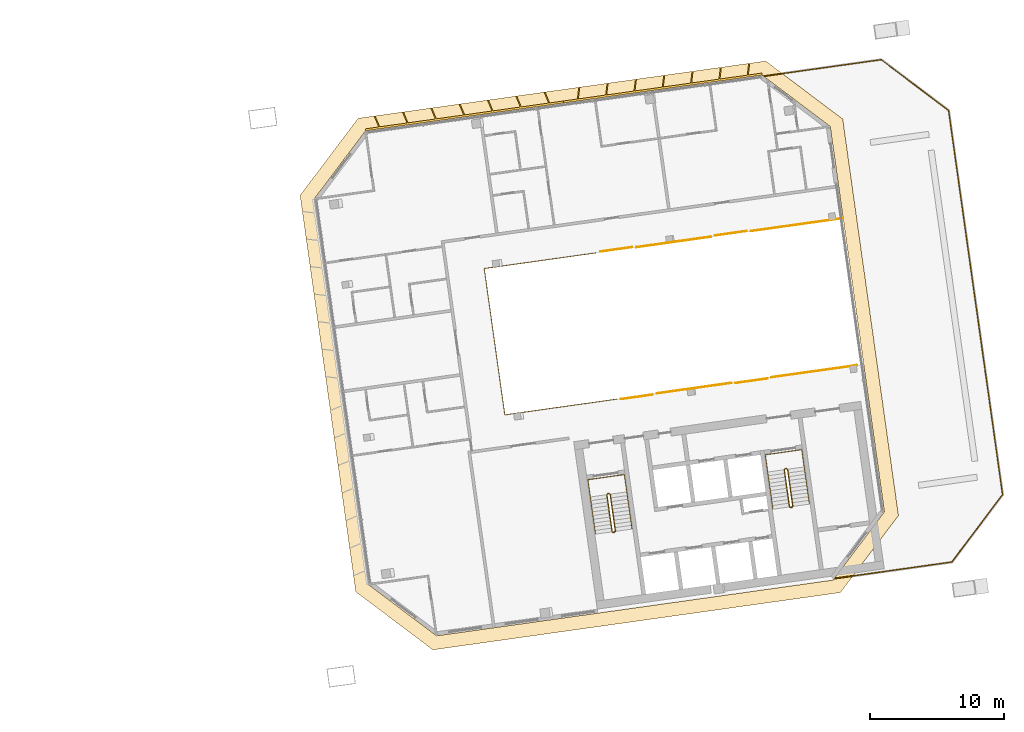
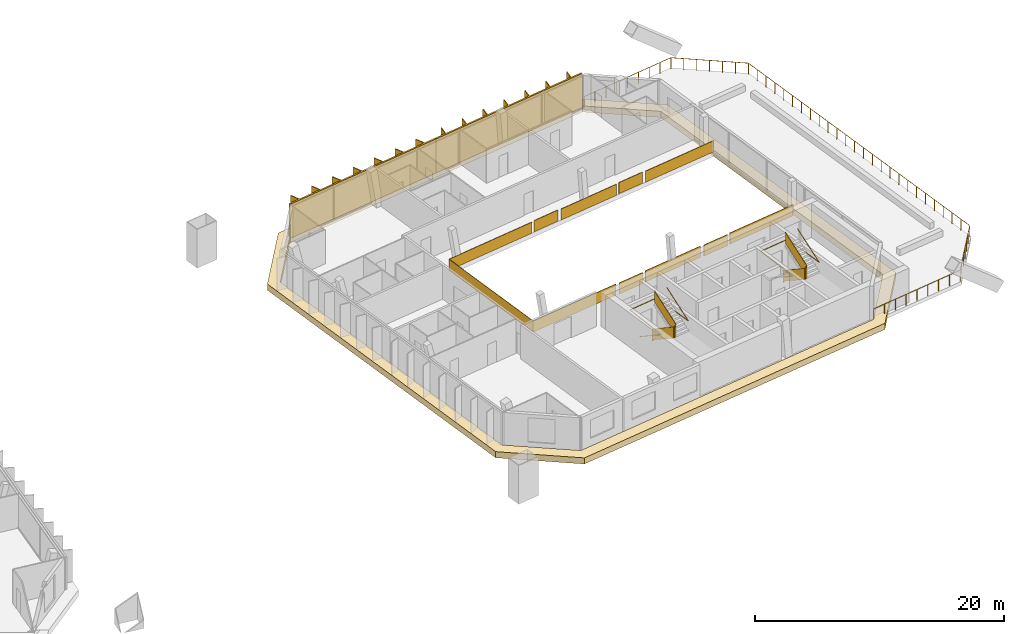
# One storey, part 17 of 17: 14 railings, 2 shading devices, 1 covering.
"""IFC4 building model written with IfcOpenShell, lengths in metres."""

from ifc_helpers import new_model, si_unit, direction, frame, origin, origin_2d, place, context, subcontext, project, spatial, polyline, rectangle, outline, extrude, material, layer, layer_set, type_object, element, save


model = new_model("IFC4")

# Units and contexts
model_context = context("Model", 3, precision=1e-05, world=origin(), true_north=direction((0.0, 1.0)))
body_context = subcontext(model_context, "Body", "Model", "MODEL_VIEW")
ifc_project = project(units=[si_unit("LENGTHUNIT", "METRE"), si_unit("AREAUNIT", "SQUARE_METRE"), si_unit("VOLUMEUNIT", "CUBIC_METRE"), si_unit("PLANEANGLEUNIT", "RADIAN"), si_unit("MASSUNIT", "GRAM", prefix="KILO")], contexts=[model_context])

# Site, building, storey
site_placement = place(None, origin())
site = spatial("IfcSite", under=ifc_project, at=site_placement, CompositionType="ELEMENT")
building_placement = place(site_placement, origin())
building = spatial("IfcBuilding", under=site, at=building_placement, Name="Mirante Cascada Hotel Towers", CompositionType="ELEMENT")
storey_placement = place(building_placement, frame((0.0, 0.0, 250.8)))
storey = spatial("IfcBuildingStorey", under=building, at=storey_placement, Name="L60", CompositionType="ELEMENT", Elevation=250.8)

# Railings
ifc_material_1 = material(Name="Toughened glass with stainless steel handrail", Category="steel")
railing_type_1 = type_object("IfcRailingType", Name="Atrium guard 1100 glass balustrade", PredefinedType="GUARDRAIL", material=ifc_material_1)
railing_1_placement = place(storey_placement, frame((37.2848, 6.6985, 0.0)))
element("IfcRailing", 1, at=railing_1_placement, inside=storey, type_object=railing_type_1, Name="GUARD 2-L60-1", PredefinedType="GUARDRAIL", context=body_context, shape_type="SweptSolid", body=[
    extrude(rectangle(XDim=0.048, YDim=0.048, at=origin_2d()), frame((0.0, 0.0, 1.076), z_axis=(-0.9902674, -0.1391775, 0.0), x_axis=(0.1391775, -0.9902674, 0.0)), (0.0, 0.0, 1.0), 8.4245),
    extrude(rectangle(XDim=0.02, YDim=1.052, at=origin_2d()), frame((0.0, 0.0, 0.526), z_axis=(-0.9902674, -0.1391775, 0.0), x_axis=(0.1391775, -0.9902674, 0.0)), (0.0, 0.0, 1.0), 8.4245),
    extrude(rectangle(XDim=0.048, YDim=0.048, at=origin_2d()), frame((-8.3425, -1.1725, 1.076), z_axis=(0.1391733, -0.990268, 0.0), x_axis=(0.990268, 0.1391733, 0.0)), (0.0, 0.0, 1.0), 11.0),
    extrude(rectangle(XDim=0.02, YDim=1.052, at=origin_2d()), frame((-8.3425, -1.1725, 0.526), z_axis=(0.1391733, -0.990268, 0.0), x_axis=(0.990268, 0.1391733, 0.0)), (0.0, 0.0, 1.0), 11.0),
    extrude(rectangle(XDim=0.048, YDim=0.048, at=origin_2d()), frame((-6.8116, -12.0654, 1.076), z_axis=(0.9902691, 0.1391659, 0.0), x_axis=(-0.1391659, 0.9902691, 0.0)), (0.0, 0.0, 1.0), 8.4245),
    extrude(rectangle(XDim=0.02, YDim=1.052, at=origin_2d()), frame((-6.8116, -12.0654, 0.526), z_axis=(0.9902691, 0.1391659, 0.0), x_axis=(-0.1391659, 0.9902691, 0.0)), (0.0, 0.0, 1.0), 8.4245),
])
railing_2_placement = place(storey_placement, frame((41.7865, -3.7769, 0.0)))
element("IfcRailing", 2, at=railing_2_placement, inside=storey, type_object=railing_type_1, Name="GUARD 2-L60-2", PredefinedType="GUARDRAIL", context=body_context, shape_type="SweptSolid", body=[
    extrude(rectangle(XDim=0.048, YDim=0.048, at=origin_2d()), frame((0.0, 0.0, 1.076), z_axis=(0.9902698, 0.1391607, 0.0), x_axis=(-0.1391607, 0.9902698, 0.0)), (0.0, 0.0, 1.0), 5.6302),
    extrude(rectangle(XDim=0.02, YDim=1.052, at=origin_2d()), frame((0.0, 0.0, 0.526), z_axis=(0.9902698, 0.1391607, 0.0), x_axis=(-0.1391607, 0.9902698, 0.0)), (0.0, 0.0, 1.0), 5.6302),
])
railing_3_placement = place(storey_placement, frame((45.831, 7.8996, 0.0)))
element("IfcRailing", 3, at=railing_3_placement, inside=storey, type_object=railing_type_1, Name="GUARD 2-L60-3", PredefinedType="GUARDRAIL", context=body_context, shape_type="SweptSolid", body=[
    extrude(rectangle(XDim=0.048, YDim=0.048, at=origin_2d()), frame((0.0, 0.0, 1.076), z_axis=(-0.9902674, -0.1391781, 0.0), x_axis=(0.1391781, -0.9902674, 0.0)), (0.0, 0.0, 1.0), 5.6302),
    extrude(rectangle(XDim=0.02, YDim=1.052, at=origin_2d()), frame((0.0, 0.0, 0.526), z_axis=(-0.9902674, -0.1391781, 0.0), x_axis=(0.1391781, -0.9902674, 0.0)), (0.0, 0.0, 1.0), 5.6302),
])
railing_4_placement = place(storey_placement, frame((50.3327, -2.5758, 0.0)))
element("IfcRailing", 4, at=railing_4_placement, inside=storey, type_object=railing_type_1, Name="GUARD 2-L60-4", PredefinedType="GUARDRAIL", context=body_context, shape_type="SweptSolid", body=[
    extrude(rectangle(XDim=0.048, YDim=0.048, at=origin_2d()), frame((0.0, 0.0, 1.076), z_axis=(0.9902684, 0.1391707, 0.0), x_axis=(-0.1391707, 0.9902684, 0.0)), (0.0, 0.0, 1.0), 6.4453),
    extrude(rectangle(XDim=0.02, YDim=1.052, at=origin_2d()), frame((0.0, 0.0, 0.526), z_axis=(0.9902684, 0.1391707, 0.0), x_axis=(-0.1391707, 0.9902684, 0.0)), (0.0, 0.0, 1.0), 6.4453),
])
railing_5_placement = place(storey_placement, frame((55.6795, 9.2837, 0.0)))
element("IfcRailing", 5, at=railing_5_placement, inside=storey, type_object=railing_type_1, Name="GUARD 2-L60-5", PredefinedType="GUARDRAIL", context=body_context, shape_type="SweptSolid", body=[
    extrude(rectangle(XDim=0.048, YDim=0.048, at=origin_2d()), frame((0.0, 0.0, 1.076), z_axis=(-0.990268, -0.1391734, 0.0), x_axis=(0.1391734, -0.990268, 0.0)), (0.0, 0.0, 1.0), 6.9453),
    extrude(rectangle(XDim=0.02, YDim=1.052, at=origin_2d()), frame((0.0, 0.0, 0.526), z_axis=(-0.990268, -0.1391734, 0.0), x_axis=(0.1391734, -0.990268, 0.0)), (0.0, 0.0, 1.0), 6.9453),
])
railing_6_placement = place(storey_placement, frame((39.956, 7.1244, 0.0)))
element("IfcRailing", 6, at=railing_6_placement, inside=storey, type_object=railing_type_1, Name="GUARD 2-L60-6", PredefinedType="GUARDRAIL", context=body_context, shape_type="SweptSolid", body=[
    extrude(rectangle(XDim=0.048, YDim=0.048, at=origin_2d()), frame((0.0, 0.0, 1.076), z_axis=(-0.9902666, -0.1391836, 0.0), x_axis=(0.1391836, -0.9902666, 0.0)), (0.0, 0.0, 1.0), 2.409),
    extrude(rectangle(XDim=0.02, YDim=1.052, at=origin_2d()), frame((0.0, 0.0, 0.526), z_axis=(-0.9902666, -0.1391836, 0.0), x_axis=(0.1391836, -0.9902666, 0.0)), (0.0, 0.0, 1.0), 2.409),
])
railing_7_placement = place(storey_placement, frame((39.1153, -4.2028, 0.0)))
element("IfcRailing", 7, at=railing_7_placement, inside=storey, type_object=railing_type_1, Name="GUARD 2-L60-7", PredefinedType="GUARDRAIL", context=body_context, shape_type="SweptSolid", body=[
    extrude(rectangle(XDim=0.048, YDim=0.048, at=origin_2d()), frame((0.0, 0.0, 1.076), z_axis=(0.9902715, 0.1391486, 0.0), x_axis=(-0.1391486, 0.9902715, 0.0)), (0.0, 0.0, 1.0), 2.4089),
    extrude(rectangle(XDim=0.02, YDim=1.052, at=origin_2d()), frame((0.0, 0.0, 0.526), z_axis=(0.9902715, 0.1391486, 0.0), x_axis=(-0.1391486, 0.9902715, 0.0)), (0.0, 0.0, 1.0), 2.4089),
])
railing_8_placement = place(storey_placement, frame((48.5022, 8.3255, 0.0)))
element("IfcRailing", 8, at=railing_8_placement, inside=storey, type_object=railing_type_1, Name="GUARD 2-L60-8", PredefinedType="GUARDRAIL", context=body_context, shape_type="SweptSolid", body=[
    extrude(rectangle(XDim=0.048, YDim=0.048, at=origin_2d()), frame((0.0, 0.0, 1.076), z_axis=(-0.9902658, -0.1391893, 0.0), x_axis=(0.1391893, -0.9902658, 0.0)), (0.0, 0.0, 1.0), 2.4089),
    extrude(rectangle(XDim=0.02, YDim=1.052, at=origin_2d()), frame((0.0, 0.0, 0.526), z_axis=(-0.9902658, -0.1391893, 0.0), x_axis=(0.1391893, -0.9902658, 0.0)), (0.0, 0.0, 1.0), 2.4089),
])
railing_9_placement = place(storey_placement, frame((47.6615, -3.0017, 0.0)))
element("IfcRailing", 9, at=railing_9_placement, inside=storey, type_object=railing_type_1, Name="GUARD 2-L60-9", PredefinedType="GUARDRAIL", context=body_context, shape_type="SweptSolid", body=[
    extrude(rectangle(XDim=0.048, YDim=0.048, at=origin_2d()), frame((0.0, 0.0, 1.076), z_axis=(0.9902715, 0.1391486, 0.0), x_axis=(-0.1391486, 0.9902715, 0.0)), (0.0, 0.0, 1.0), 2.4089),
    extrude(rectangle(XDim=0.02, YDim=1.052, at=origin_2d()), frame((0.0, 0.0, 0.526), z_axis=(0.9902715, 0.1391486, 0.0), x_axis=(-0.1391486, 0.9902715, 0.0)), (0.0, 0.0, 1.0), 2.4089),
])

# Covering
ifc_material_2 = material(Name="Precast concrete C40/50 white", Category="concrete")
ifc_layer = layer(ifc_material_2, 0.6)
ifc_layer_set = layer_set([ifc_layer], Name="Precast concrete SUNSHADE band 1000x600")
covering_type = type_object("IfcCoveringType", Name="Precast concrete SUNSHADE band 1000x600", PredefinedType="CLADDING", material=ifc_layer_set)
covering_placement = place(storey_placement, frame((0.0, 0.0, -0.45)))
element("IfcCovering", 10, at=covering_placement, inside=storey, type_object=covering_type, Name="Precast concrete SUNSHADE band T2 L60", PredefinedType="CLADDING", context=body_context, shape_type="SweptSolid", body=[
    extrude(outline(polyline([(15.2133, 10.9827), (19.5418, 16.7267), (49.9078, 20.9944), (55.6518, 16.6659), (59.8032, -12.8722), (55.4747, -18.6163), (25.1087, -22.884), (19.3646, -18.5555), (15.2133, 10.9827)]), holes=[polyline([(58.7552, -12.6012), (54.7192, 16.1166), (49.6367, 19.9465), (20.0912, 15.7941), (16.2612, 10.7116), (20.2972, -18.0061), (25.3797, -21.8361), (54.9253, -17.6837), (58.7552, -12.6012)])]), origin(), (0.0, 0.0, 1.0), 0.6),
])

# Railings
ifc_material_3 = material(Name="Painted steel", Category="steel")
railing_type_2 = type_object("IfcRailingType", Name="Stair guard 1100 steel balustrade", PredefinedType="GUARDRAIL", material=ifc_material_3)
railing_10_placement = place(storey_placement, frame((38.2663, -11.2395, 0.0)))
element("IfcRailing", 11, at=railing_10_placement, inside=storey, type_object=railing_type_2, Name="L60 ST2-A stair guard 1", PredefinedType="GUARDRAIL", context=body_context, shape_type="SweptSolid", body=[
    extrude(rectangle(XDim=0.048, YDim=0.048, at=origin_2d()), frame((0.0, 0.0, 1.076), z_axis=(-0.9903326, -0.1387133, 0.0), x_axis=(0.1387133, -0.9903326, 0.0)), (0.0, 0.0, 1.0), 0.1499),
    extrude(rectangle(XDim=0.02, YDim=1.052, at=origin_2d()), frame((0.0, 0.0, 0.526), z_axis=(-0.9903326, -0.1387133, 0.0), x_axis=(0.1387133, -0.9903326, 0.0)), (0.0, 0.0, 1.0), 0.1499),
    extrude(rectangle(XDim=0.048, YDim=0.048, at=origin_2d()), frame((-0.1485, -0.0208, 1.076), z_axis=(-0.6020331, -0.7984711, 0.0), x_axis=(0.7984711, -0.6020331, 0.0)), (0.0, 0.9253398, 0.3791387), 0.1866),
    extrude(rectangle(XDim=0.02, YDim=1.052, at=origin_2d()), frame((-0.1485, -0.0208, 0.526), z_axis=(-0.6020331, -0.7984711, 0.0), x_axis=(0.7984711, -0.6020331, 0.0)), (0.0, 0.9253398, 0.3791387), 0.1866),
    extrude(rectangle(XDim=0.048, YDim=0.048, at=origin_2d()), frame((-0.1911, -0.0773, 1.2487), z_axis=(0.139176, -0.9902677, 0.0), x_axis=(0.9902677, 0.139176, 0.0)), (0.0, 0.5250212, 0.8510891), 3.29),
    extrude(rectangle(XDim=0.02, YDim=1.052, at=origin_2d()), frame((-0.1911, -0.0773, 0.6987), z_axis=(0.139176, -0.9902677, 0.0), x_axis=(0.9902677, 0.139176, 0.0)), (0.0, 0.5250212, 0.8510891), 3.29),
    extrude(rectangle(XDim=0.048, YDim=0.048, at=origin_2d()), frame((0.1986, -2.8501, 2.976), z_axis=(0.9944948, -0.1047858, 0.0), x_axis=(0.1047858, 0.9944948, 0.0)), (0.0, 0.0, 1.0), 0.2061),
    extrude(rectangle(XDim=0.02, YDim=1.052, at=origin_2d()), frame((0.1986, -2.8501, 2.426), z_axis=(0.9944948, -0.1047858, 0.0), x_axis=(0.1047858, 0.9944948, 0.0)), (0.0, 0.0, 1.0), 0.2061),
    extrude(rectangle(XDim=0.048, YDim=0.048, at=origin_2d()), frame((0.4036, -2.8717, 2.976), z_axis=(-0.9902408, -0.1393672, 0.0), x_axis=(0.1393672, -0.9902408, 0.0)), (0.0, 0.0, 1.0), 0.15),
    extrude(rectangle(XDim=0.02, YDim=1.052, at=origin_2d()), frame((0.4036, -2.8717, 2.426), z_axis=(-0.9902408, -0.1393672, 0.0), x_axis=(0.1393672, -0.9902408, 0.0)), (0.0, 0.0, 1.0), 0.15),
    extrude(rectangle(XDim=0.048, YDim=0.048, at=origin_2d()), frame((0.2551, -2.8926, 2.976), z_axis=(0.9270311, 0.3749843, 0.0), x_axis=(-0.3749843, 0.9270311, 0.0)), (0.0, 0.6421903, 0.7665452), 0.2689),
    extrude(rectangle(XDim=0.02, YDim=1.052, at=origin_2d()), frame((0.2551, -2.8926, 2.426), z_axis=(0.9270311, 0.3749843, 0.0), x_axis=(-0.3749843, 0.9270311, 0.0)), (0.0, 0.6421903, 0.7665452), 0.2689),
    extrude(rectangle(XDim=0.048, YDim=0.048, at=origin_2d()), frame((0.4462, -2.8153, 3.1487), z_axis=(-0.139176, 0.9902677, 0.0), x_axis=(-0.9902677, -0.139176, 0.0)), (0.0, 0.5250212, 0.8510891), 3.29),
    extrude(rectangle(XDim=0.02, YDim=1.052, at=origin_2d()), frame((0.4462, -2.8153, 2.5987), z_axis=(-0.139176, 0.9902677, 0.0), x_axis=(-0.9902677, -0.139176, 0.0)), (0.0, 0.5250212, 0.8510891), 3.29),
])
railing_11_placement = place(storey_placement, frame((51.4864, -9.3815, 0.0)))
element("IfcRailing", 12, at=railing_11_placement, inside=storey, type_object=railing_type_2, Name="L60 ST2-B stair guard 1", PredefinedType="GUARDRAIL", context=body_context, shape_type="SweptSolid", body=[
    extrude(rectangle(XDim=0.048, YDim=0.048, at=origin_2d()), frame((0.0, 0.0, 1.076), z_axis=(-0.9902408, -0.1393672, 0.0), x_axis=(0.1393672, -0.9902408, 0.0)), (0.0, 0.0, 1.0), 0.15),
    extrude(rectangle(XDim=0.02, YDim=1.052, at=origin_2d()), frame((0.0, 0.0, 0.526), z_axis=(-0.9902408, -0.1393672, 0.0), x_axis=(0.1393672, -0.9902408, 0.0)), (0.0, 0.0, 1.0), 0.15),
    extrude(rectangle(XDim=0.048, YDim=0.048, at=origin_2d()), frame((-0.1485, -0.0209, 1.076), z_axis=(-0.6020331, -0.7984711, 0.0), x_axis=(0.7984711, -0.6020331, 0.0)), (0.0, 0.9253398, 0.3791387), 0.1866),
    extrude(rectangle(XDim=0.02, YDim=1.052, at=origin_2d()), frame((-0.1485, -0.0209, 0.526), z_axis=(-0.6020331, -0.7984711, 0.0), x_axis=(0.7984711, -0.6020331, 0.0)), (0.0, 0.9253398, 0.3791387), 0.1866),
    extrude(rectangle(XDim=0.048, YDim=0.048, at=origin_2d()), frame((-0.1911, -0.0774, 1.2487), z_axis=(0.139181, -0.990267, 0.0), x_axis=(0.990267, 0.139181, 0.0)), (0.0, 0.5250347, 0.8510808), 3.2899),
    extrude(rectangle(XDim=0.02, YDim=1.052, at=origin_2d()), frame((-0.1911, -0.0774, 0.6987), z_axis=(0.139181, -0.990267, 0.0), x_axis=(0.990267, 0.139181, 0.0)), (0.0, 0.5250347, 0.8510808), 3.2899),
    extrude(rectangle(XDim=0.048, YDim=0.048, at=origin_2d()), frame((0.1986, -2.8501, 2.976), z_axis=(0.9944441, -0.1052656, 0.0), x_axis=(0.1052656, 0.9944441, 0.0)), (0.0, 0.0, 1.0), 0.2061),
    extrude(rectangle(XDim=0.02, YDim=1.052, at=origin_2d()), frame((0.1986, -2.8501, 2.426), z_axis=(0.9944441, -0.1052656, 0.0), x_axis=(0.1052656, 0.9944441, 0.0)), (0.0, 0.0, 1.0), 0.2061),
    extrude(rectangle(XDim=0.048, YDim=0.048, at=origin_2d()), frame((0.4036, -2.8718, 2.976), z_axis=(-0.9902408, -0.1393672, 0.0), x_axis=(0.1393672, -0.9902408, 0.0)), (0.0, 0.0, 1.0), 0.15),
    extrude(rectangle(XDim=0.02, YDim=1.052, at=origin_2d()), frame((0.4036, -2.8718, 2.426), z_axis=(-0.9902408, -0.1393672, 0.0), x_axis=(0.1393672, -0.9902408, 0.0)), (0.0, 0.0, 1.0), 0.15),
    extrude(rectangle(XDim=0.048, YDim=0.048, at=origin_2d()), frame((0.2551, -2.8927, 2.976), z_axis=(0.9268624, 0.3754011, 0.0), x_axis=(-0.3754011, 0.9268624, 0.0)), (0.0, 0.6421217, 0.7666028), 0.269),
    extrude(rectangle(XDim=0.02, YDim=1.052, at=origin_2d()), frame((0.2551, -2.8927, 2.426), z_axis=(0.9268624, 0.3754011, 0.0), x_axis=(-0.3754011, 0.9268624, 0.0)), (0.0, 0.6421217, 0.7666028), 0.269),
    extrude(rectangle(XDim=0.048, YDim=0.048, at=origin_2d()), frame((0.4462, -2.8153, 3.1487), z_axis=(-0.139181, 0.990267, 0.0), x_axis=(-0.990267, -0.139181, 0.0)), (0.0, 0.5250347, 0.8510808), 3.2899),
    extrude(rectangle(XDim=0.02, YDim=1.052, at=origin_2d()), frame((0.4462, -2.8153, 2.5987), z_axis=(-0.139181, 0.990267, 0.0), x_axis=(-0.990267, -0.139181, 0.0)), (0.0, 0.5250347, 0.8510808), 3.2899),
])
ifc_material_4 = material(Name="Painted steel", Category="steel")
railing_type_3 = type_object("IfcRailingType", Name="Stair handrail 900 steel tube", PredefinedType="HANDRAIL", material=ifc_material_4)
railing_12_placement = place(storey_placement, frame((36.8374, -11.4908, 0.1727)))
element("IfcRailing", 13, at=railing_12_placement, inside=storey, type_object=railing_type_3, Name="L60 ST2-A stair handrail 1", PredefinedType="HANDRAIL", context=body_context, shape_type="SweptSolid", body=[
    extrude(rectangle(XDim=0.048, YDim=0.048, at=origin_2d()), frame((0.0, 0.0, 0.876), z_axis=(0.139181, -0.990267, 0.0), x_axis=(0.990267, 0.139181, 0.0)), (0.0, 0.5250347, 0.8510808), 3.2899),
    extrude(rectangle(XDim=0.048, YDim=0.048, at=origin_2d()), frame((0.3897, -2.7727, 2.6033), z_axis=(-0.1391707, 0.9902684, 0.0), x_axis=(-0.9902684, -0.1391707, 0.0)), (0.0, 0.0420846, 0.999114), 4.1036),
    extrude(rectangle(XDim=0.048, YDim=0.048, at=origin_2d()), frame((-0.1809, 1.2874, 2.776), z_axis=(0.9902691, 0.1391657, 0.0), x_axis=(-0.1391657, 0.9902691, 0.0)), (0.0, 0.0, 1.0), 2.75),
    extrude(rectangle(XDim=0.048, YDim=0.048, at=origin_2d()), frame((2.5423, 1.6701, 2.776), z_axis=(0.1391707, -0.9902684, 0.0), x_axis=(0.9902684, 0.1391707, 0.0)), (0.0, 0.0, 1.0), 4.1),
    extrude(rectangle(XDim=0.048, YDim=0.048, at=origin_2d()), frame((3.1129, -2.39, 2.776), z_axis=(-0.139181, 0.990267, 0.0), x_axis=(-0.990267, -0.139181, 0.0)), (0.0, 0.5250347, 0.8510808), 3.2899),
])
railing_13_placement = place(storey_placement, frame((50.0575, -9.6328, 0.1727)))
element("IfcRailing", 14, at=railing_13_placement, inside=storey, type_object=railing_type_3, Name="L60 ST2-B stair handrail 1", PredefinedType="HANDRAIL", context=body_context, shape_type="SweptSolid", body=[
    extrude(rectangle(XDim=0.048, YDim=0.048, at=origin_2d()), frame((0.0, 0.0, 0.876), z_axis=(0.139176, -0.9902677, 0.0), x_axis=(0.9902677, 0.139176, 0.0)), (0.0, 0.5250212, 0.8510891), 3.29),
    extrude(rectangle(XDim=0.048, YDim=0.048, at=origin_2d()), frame((0.3897, -2.7728, 2.6033), z_axis=(-0.1391707, 0.9902684, 0.0), x_axis=(-0.9902684, -0.1391707, 0.0)), (0.0, 0.0420846, 0.999114), 4.1036),
    extrude(rectangle(XDim=0.048, YDim=0.048, at=origin_2d()), frame((-0.1809, 1.2873, 2.776), z_axis=(0.9902641, 0.1392013, 0.0), x_axis=(-0.1392013, 0.9902641, 0.0)), (0.0, 0.0, 1.0), 2.75),
    extrude(rectangle(XDim=0.048, YDim=0.048, at=origin_2d()), frame((2.5423, 1.6701, 2.776), z_axis=(0.1391707, -0.9902684, 0.0), x_axis=(0.9902684, 0.1391707, 0.0)), (0.0, 0.0, 1.0), 4.1),
    extrude(rectangle(XDim=0.048, YDim=0.048, at=origin_2d()), frame((3.1129, -2.39, 2.776), z_axis=(-0.139181, 0.990267, 0.0), x_axis=(-0.990267, -0.139181, 0.0)), (0.0, 0.5250347, 0.8510808), 3.2899),
])
ifc_material_5 = material(Name="Stainless steel AISI 316", Category="steel")
railing_type_4 = type_object("IfcRailingType", Name="Terrace guard 1100", PredefinedType="GUARDRAIL", material=ifc_material_5)
railing_14_placement = place(storey_placement, frame((49.7777, 19.8653, 0.0)))
element("IfcRailing", 15, at=railing_14_placement, inside=storey, type_object=railing_type_4, Name="GUARD T2 L60 terrace 1", PredefinedType="GUARDRAIL", context=body_context, shape_type="SweptSolid", body=[
    extrude(outline(polyline([(0.025, 0.0104), (0.0104, 0.025), (-0.0104, 0.025), (-0.025, 0.0104), (-0.025, -0.0104), (-0.0104, -0.025), (0.0104, -0.025), (0.025, -0.0104), (0.025, 0.0104)])), frame((0.0, 0.0, 1.075), z_axis=(0.9902672, 0.1391792, 0.0), x_axis=(-0.1391792, 0.9902672, 0.0)), (0.0, 0.0, 1.0), 8.8303),
    extrude(outline(polyline([(0.025, 0.0104), (0.0104, 0.025), (-0.0104, 0.025), (-0.025, 0.0104), (-0.025, -0.0104), (-0.0104, -0.025), (0.0104, -0.025), (0.025, -0.0104), (0.025, 0.0104)])), frame((8.7444, 1.229, 1.075), z_axis=(0.7986319, -0.6018198, 0.0), x_axis=(0.6018198, 0.7986319, 0.0)), (0.0, 0.0, 1.0), 6.2811),
    extrude(outline(polyline([(0.025, 0.0104), (0.0104, 0.025), (-0.0104, 0.025), (-0.025, 0.0104), (-0.025, -0.0104), (-0.0104, -0.025), (0.0104, -0.025), (0.025, -0.0104), (0.025, 0.0104)])), frame((13.7607, -2.5511, 1.075), z_axis=(0.1391731, -0.9902681, 0.0), x_axis=(0.9902681, 0.1391731, 0.0)), (0.0, 0.0, 1.0), 28.9172),
    extrude(outline(polyline([(0.025, 0.0104), (0.0104, 0.025), (-0.0104, 0.025), (-0.025, 0.0104), (-0.025, -0.0104), (-0.0104, -0.025), (0.0104, -0.025), (0.025, -0.0104), (0.025, 0.0104)])), frame((17.7852, -31.1869, 1.075), z_axis=(-0.6018198, -0.7986319, 0.0), x_axis=(0.7986319, -0.6018198, 0.0)), (0.0, 0.0, 1.0), 6.2811),
    extrude(outline(polyline([(0.025, 0.0104), (0.0104, 0.025), (-0.0104, 0.025), (-0.025, 0.0104), (-0.025, -0.0104), (-0.0104, -0.025), (0.0104, -0.025), (0.025, -0.0104), (0.025, 0.0104)])), frame((14.0051, -36.2032, 1.075), z_axis=(-0.9902688, -0.1391681, 0.0), x_axis=(0.1391681, -0.9902688, 0.0)), (0.0, 0.0, 1.0), 8.8303),
    extrude(rectangle(XDim=0.05, YDim=0.05, at=origin_2d()), origin(), (0.0, 0.0, 1.0), 1.05),
    extrude(rectangle(XDim=0.05, YDim=0.05, at=origin_2d()), frame((1.093, 0.1536, 0.0)), (0.0, 0.0, 1.0), 1.05),
    extrude(rectangle(XDim=0.05, YDim=0.05, at=origin_2d()), frame((2.1861, 0.3072, 0.0)), (0.0, 0.0, 1.0), 1.05),
    extrude(rectangle(XDim=0.05, YDim=0.05, at=origin_2d()), frame((3.2791, 0.4609, 0.0)), (0.0, 0.0, 1.0), 1.05),
    extrude(rectangle(XDim=0.05, YDim=0.05, at=origin_2d()), frame((4.3722, 0.6145, 0.0)), (0.0, 0.0, 1.0), 1.05),
    extrude(rectangle(XDim=0.05, YDim=0.05, at=origin_2d()), frame((5.4652, 0.7681, 0.0)), (0.0, 0.0, 1.0), 1.05),
    extrude(rectangle(XDim=0.05, YDim=0.05, at=origin_2d()), frame((6.5583, 0.9217, 0.0)), (0.0, 0.0, 1.0), 1.05),
    extrude(rectangle(XDim=0.05, YDim=0.05, at=origin_2d()), frame((7.6513, 1.0754, 0.0)), (0.0, 0.0, 1.0), 1.05),
    extrude(rectangle(XDim=0.05, YDim=0.05, at=origin_2d()), frame((8.7444, 1.229, 0.0)), (0.0, 0.0, 1.0), 1.05),
    extrude(rectangle(XDim=0.05, YDim=0.05, at=origin_2d()), frame((9.5804, 0.599, 0.0)), (0.0, 0.0, 1.0), 1.05),
    extrude(rectangle(XDim=0.05, YDim=0.05, at=origin_2d()), frame((10.4165, -0.031, 0.0)), (0.0, 0.0, 1.0), 1.05),
    extrude(rectangle(XDim=0.05, YDim=0.05, at=origin_2d()), frame((11.2526, -0.6611, 0.0)), (0.0, 0.0, 1.0), 1.05),
    extrude(rectangle(XDim=0.05, YDim=0.05, at=origin_2d()), frame((12.0886, -1.2911, 0.0)), (0.0, 0.0, 1.0), 1.05),
    extrude(rectangle(XDim=0.05, YDim=0.05, at=origin_2d()), frame((12.9246, -1.9211, 0.0)), (0.0, 0.0, 1.0), 1.05),
    extrude(rectangle(XDim=0.05, YDim=0.05, at=origin_2d()), frame((13.7607, -2.5511, 0.0)), (0.0, 0.0, 1.0), 1.05),
    extrude(rectangle(XDim=0.05, YDim=0.05, at=origin_2d()), frame((13.9217, -3.6965, 0.0)), (0.0, 0.0, 1.0), 1.05),
    extrude(rectangle(XDim=0.05, YDim=0.05, at=origin_2d()), frame((14.0827, -4.842, 0.0)), (0.0, 0.0, 1.0), 1.05),
    extrude(rectangle(XDim=0.05, YDim=0.05, at=origin_2d()), frame((14.2436, -5.9874, 0.0)), (0.0, 0.0, 1.0), 1.05),
    extrude(rectangle(XDim=0.05, YDim=0.05, at=origin_2d()), frame((14.4046, -7.1328, 0.0)), (0.0, 0.0, 1.0), 1.05),
    extrude(rectangle(XDim=0.05, YDim=0.05, at=origin_2d()), frame((14.5656, -8.2783, 0.0)), (0.0, 0.0, 1.0), 1.05),
    extrude(rectangle(XDim=0.05, YDim=0.05, at=origin_2d()), frame((14.7266, -9.4237, 0.0)), (0.0, 0.0, 1.0), 1.05),
    extrude(rectangle(XDim=0.05, YDim=0.05, at=origin_2d()), frame((14.8876, -10.5691, 0.0)), (0.0, 0.0, 1.0), 1.05),
    extrude(rectangle(XDim=0.05, YDim=0.05, at=origin_2d()), frame((15.0485, -11.7146, 0.0)), (0.0, 0.0, 1.0), 1.05),
    extrude(rectangle(XDim=0.05, YDim=0.05, at=origin_2d()), frame((15.2095, -12.86, 0.0)), (0.0, 0.0, 1.0), 1.05),
    extrude(rectangle(XDim=0.05, YDim=0.05, at=origin_2d()), frame((15.3705, -14.0054, 0.0)), (0.0, 0.0, 1.0), 1.05),
    extrude(rectangle(XDim=0.05, YDim=0.05, at=origin_2d()), frame((15.5315, -15.1509, 0.0)), (0.0, 0.0, 1.0), 1.05),
    extrude(rectangle(XDim=0.05, YDim=0.05, at=origin_2d()), frame((15.6925, -16.2963, 0.0)), (0.0, 0.0, 1.0), 1.05),
    extrude(rectangle(XDim=0.05, YDim=0.05, at=origin_2d()), frame((15.8534, -17.4417, 0.0)), (0.0, 0.0, 1.0), 1.05),
    extrude(rectangle(XDim=0.05, YDim=0.05, at=origin_2d()), frame((16.0144, -18.5871, 0.0)), (0.0, 0.0, 1.0), 1.05),
    extrude(rectangle(XDim=0.05, YDim=0.05, at=origin_2d()), frame((16.1754, -19.7326, 0.0)), (0.0, 0.0, 1.0), 1.05),
    extrude(rectangle(XDim=0.05, YDim=0.05, at=origin_2d()), frame((16.3364, -20.878, 0.0)), (0.0, 0.0, 1.0), 1.05),
    extrude(rectangle(XDim=0.05, YDim=0.05, at=origin_2d()), frame((16.4974, -22.0234, 0.0)), (0.0, 0.0, 1.0), 1.05),
    extrude(rectangle(XDim=0.05, YDim=0.05, at=origin_2d()), frame((16.6583, -23.1689, 0.0)), (0.0, 0.0, 1.0), 1.05),
    extrude(rectangle(XDim=0.05, YDim=0.05, at=origin_2d()), frame((16.8193, -24.3143, 0.0)), (0.0, 0.0, 1.0), 1.05),
    extrude(rectangle(XDim=0.05, YDim=0.05, at=origin_2d()), frame((16.9803, -25.4597, 0.0)), (0.0, 0.0, 1.0), 1.05),
    extrude(rectangle(XDim=0.05, YDim=0.05, at=origin_2d()), frame((17.1413, -26.6052, 0.0)), (0.0, 0.0, 1.0), 1.05),
    extrude(rectangle(XDim=0.05, YDim=0.05, at=origin_2d()), frame((17.3023, -27.7506, 0.0)), (0.0, 0.0, 1.0), 1.05),
    extrude(rectangle(XDim=0.05, YDim=0.05, at=origin_2d()), frame((17.4632, -28.896, 0.0)), (0.0, 0.0, 1.0), 1.05),
    extrude(rectangle(XDim=0.05, YDim=0.05, at=origin_2d()), frame((17.6242, -30.0415, 0.0)), (0.0, 0.0, 1.0), 1.05),
    extrude(rectangle(XDim=0.05, YDim=0.05, at=origin_2d()), frame((17.7852, -31.1869, 0.0)), (0.0, 0.0, 1.0), 1.05),
    extrude(rectangle(XDim=0.05, YDim=0.05, at=origin_2d()), frame((17.1552, -32.023, 0.0)), (0.0, 0.0, 1.0), 1.05),
    extrude(rectangle(XDim=0.05, YDim=0.05, at=origin_2d()), frame((16.5252, -32.859, 0.0)), (0.0, 0.0, 1.0), 1.05),
    extrude(rectangle(XDim=0.05, YDim=0.05, at=origin_2d()), frame((15.8951, -33.695, 0.0)), (0.0, 0.0, 1.0), 1.05),
    extrude(rectangle(XDim=0.05, YDim=0.05, at=origin_2d()), frame((15.2651, -34.5311, 0.0)), (0.0, 0.0, 1.0), 1.05),
    extrude(rectangle(XDim=0.05, YDim=0.05, at=origin_2d()), frame((14.6351, -35.3672, 0.0)), (0.0, 0.0, 1.0), 1.05),
    extrude(rectangle(XDim=0.05, YDim=0.05, at=origin_2d()), frame((14.0051, -36.2032, 0.0)), (0.0, 0.0, 1.0), 1.05),
    extrude(rectangle(XDim=0.05, YDim=0.05, at=origin_2d()), frame((12.912, -36.3568, 0.0)), (0.0, 0.0, 1.0), 1.05),
    extrude(rectangle(XDim=0.05, YDim=0.05, at=origin_2d()), frame((11.819, -36.5104, 0.0)), (0.0, 0.0, 1.0), 1.05),
    extrude(rectangle(XDim=0.05, YDim=0.05, at=origin_2d()), frame((10.7259, -36.664, 0.0)), (0.0, 0.0, 1.0), 1.05),
    extrude(rectangle(XDim=0.05, YDim=0.05, at=origin_2d()), frame((9.6329, -36.8176, 0.0)), (0.0, 0.0, 1.0), 1.05),
    extrude(rectangle(XDim=0.05, YDim=0.05, at=origin_2d()), frame((8.5398, -36.9713, 0.0)), (0.0, 0.0, 1.0), 1.05),
    extrude(rectangle(XDim=0.05, YDim=0.05, at=origin_2d()), frame((7.4468, -37.1249, 0.0)), (0.0, 0.0, 1.0), 1.05),
    extrude(rectangle(XDim=0.05, YDim=0.05, at=origin_2d()), frame((6.3538, -37.2785, 0.0)), (0.0, 0.0, 1.0), 1.05),
    extrude(rectangle(XDim=0.05, YDim=0.05, at=origin_2d()), frame((5.2607, -37.4321, 0.0)), (0.0, 0.0, 1.0), 1.05),
])

# Shading devices
ifc_material_6 = material(Name="White precast concrete C50/60 fin", Category="concrete")
shading_device_type = type_object("IfcShadingDeviceType", Name="Vertical fin set 4500x900", PredefinedType="USERDEFINED", material=ifc_material_6)
shading_device_1_placement = place(storey_placement, origin())
element("IfcShadingDevice", 16, at=shading_device_1_placement, inside=storey, type_object=shading_device_type, Name="FIN T2 L60 front 1", ObjectType="FIN", PredefinedType="USERDEFINED", context=body_context, shape_type="SweptSolid", body=[
    extrude(outline(polyline([(36.0546, 19.006), (35.9525, 18.1748), (37.9809, 18.4598), (38.0856, 19.3124), (38.165, 19.3026), (38.0629, 18.4714), (40.0913, 18.7564), (40.196, 19.609), (40.2754, 19.5992), (40.1733, 18.768), (42.2017, 19.053), (42.3064, 19.9056), (42.3858, 19.8958), (42.2837, 19.0646), (44.3121, 19.3496), (44.4168, 20.2022), (44.4962, 20.1924), (44.3941, 19.3612), (46.4225, 19.6462), (46.5272, 20.4988), (46.6066, 20.489), (46.5045, 19.6578), (48.5329, 19.9428), (48.6376, 20.7954), (48.717, 20.7856), (48.6149, 19.9544), (49.6159, 20.095), (49.6367, 19.9465), (34.8639, 17.8703), (34.8431, 18.0188), (35.8705, 18.1632), (35.9752, 19.0158), (36.0546, 19.006)])), origin(), (0.0, 0.0, 1.0), 3.35),
])
shading_device_2_placement = place(storey_placement, origin())
element("IfcShadingDevice", 17, at=shading_device_2_placement, inside=storey, type_object=shading_device_type, Name="FIN T2 L60 front 2", ObjectType="FIN", PredefinedType="USERDEFINED", context=body_context, shape_type="SweptSolid", body=[
    extrude(outline(polyline([(20.8176, 16.8855), (21.1532, 16.0949), (23.1816, 16.3799), (22.8544, 17.1509), (22.928, 17.1821), (23.2636, 16.3915), (25.292, 16.6765), (24.9648, 17.4475), (25.0384, 17.4787), (25.374, 16.6881), (27.4024, 16.9731), (27.0752, 17.7441), (27.1488, 17.7753), (27.4844, 16.9847), (29.5128, 17.2697), (29.1856, 18.0407), (29.2592, 18.0719), (29.5948, 17.2813), (31.6232, 17.5663), (31.296, 18.3373), (31.3696, 18.3685), (31.7052, 17.5779), (33.7336, 17.8629), (33.4064, 18.6339), (33.48, 18.6651), (33.8156, 17.8744), (34.8431, 18.0188), (34.8639, 17.8703), (20.0912, 15.7941), (20.0703, 15.9427), (21.0712, 16.0833), (20.744, 16.8543), (20.8176, 16.8855)])), origin(), (0.0, 0.0, 1.0), 3.35),
])

save(model, "model.ifc")
